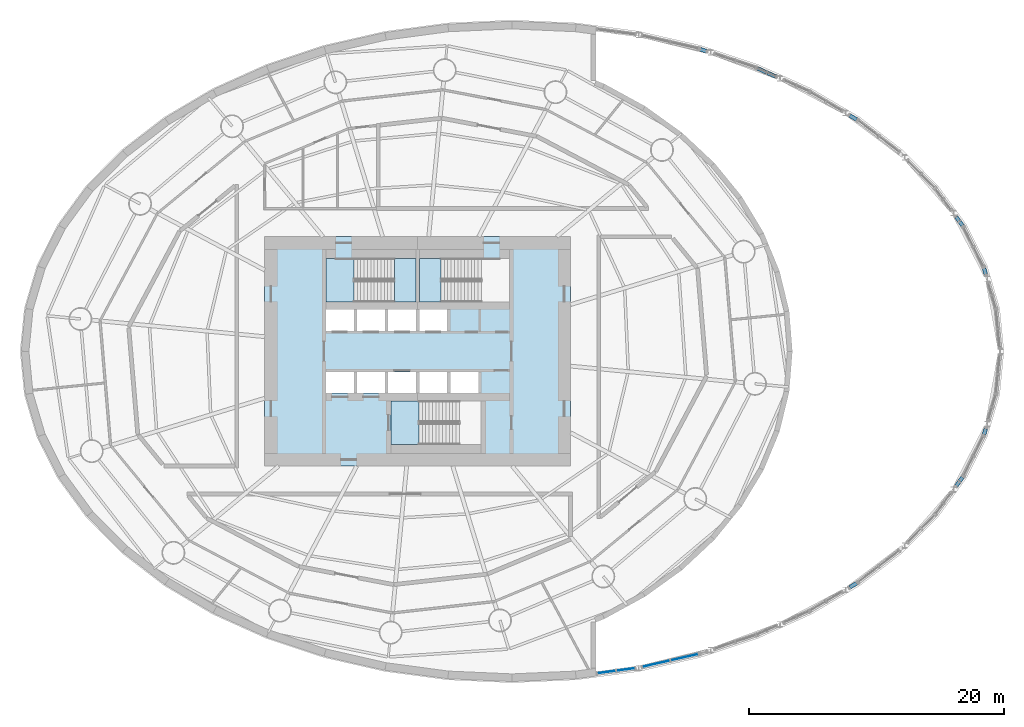
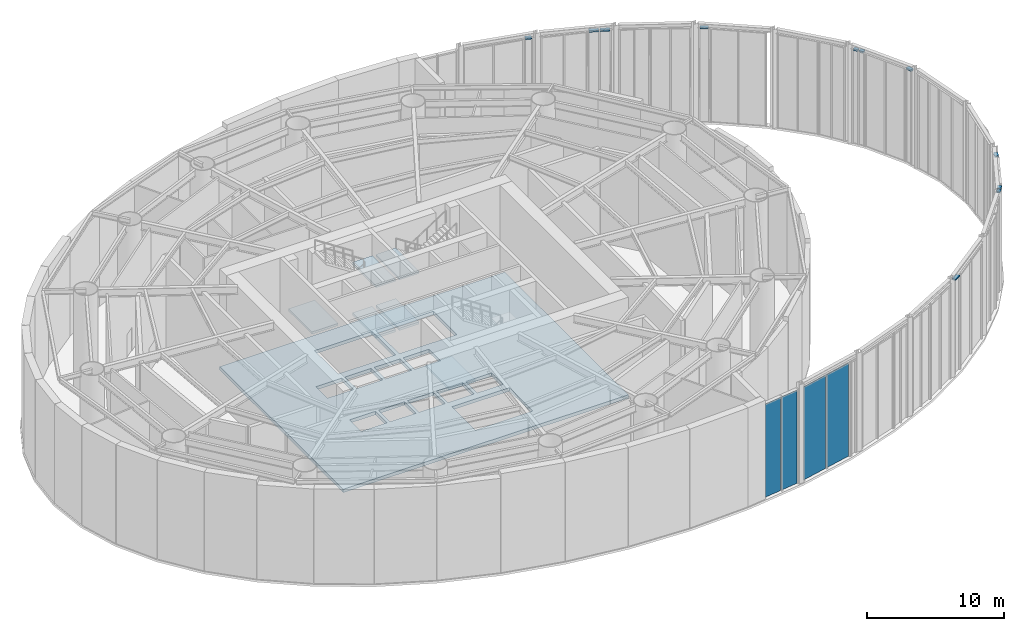
# One storey, part 9 of 19: 11 members, 7 slabs, 4 plates, 13 elements without a shape of their own.
"""IFC4 building model written with IfcOpenShell, lengths in metres."""

from ifc_helpers import new_model, si_unit, direction, frame, origin, origin_2d, place, context, subcontext, project, spatial, polyline, rectangle, outline, extrude, material, layer, layer_set, material_profile, profile_set, type_object, element, aggregate, save


model = new_model("IFC4")

# Units and contexts
model_context = context("Model", 3, precision=1e-05, world=origin(), true_north=direction((0.0, 1.0)))
body_context = subcontext(model_context, "Body", "Model", "MODEL_VIEW")
ifc_project = project(units=[si_unit("LENGTHUNIT", "METRE"), si_unit("AREAUNIT", "SQUARE_METRE"), si_unit("VOLUMEUNIT", "CUBIC_METRE"), si_unit("PLANEANGLEUNIT", "RADIAN"), si_unit("MASSUNIT", "GRAM", prefix="KILO")], contexts=[model_context])

# Site, building, storey
site_placement = place(None, origin())
site = spatial("IfcSite", under=ifc_project, at=site_placement, CompositionType="ELEMENT")
building_placement = place(site_placement, origin())
building = spatial("IfcBuilding", under=site, at=building_placement, Name="Vermilion Reach Broadcast Tower", CompositionType="ELEMENT")
storey_placement = place(building_placement, frame((0.0, 0.0, 17.0)))
storey = spatial("IfcBuildingStorey", under=building, at=storey_placement, Name="L02", CompositionType="ELEMENT", Elevation=17.0)

# Curtain wall, member
ifc_material_1 = material(Name="Low-e laminated clear glass in aluminium frame", Category="aluminium")
curtain_wall_type = type_object("IfcCurtainWallType", Name="Atrium outer wall curtain wall", PredefinedType="NOTDEFINED", material=ifc_material_1)
placement_1 = place(storey_placement, origin())
curtain_wall_1 = element("IfcCurtainWall", 1, at=placement_1, inside=storey, type_object=curtain_wall_type, Name="Atrium wall L02 05-2", PredefinedType="NOTDEFINED")
ifc_material_2 = material(Name="Anodised aluminium", Category="aluminium")
ifc_material_profile = material_profile(ifc_material_2, rectangle(XDim=0.300048828125, YDim=0.1201171875, at=origin_2d()), Name="Atrium outer wall transom 300 x 120")
ifc_profile_set = profile_set([ifc_material_profile], Name="Anodised aluminium")
member_type = type_object("IfcMemberType", Name="Atrium outer wall transom 300 x 120", PredefinedType="USERDEFINED", material=ifc_profile_set)
member_1_placement = place(storey_placement, frame((27.892822265625, -18.5107421875, 8.35009765625), z_axis=(0.860857815455, 0.508845577331, 0.0), x_axis=(-0.508845577331, 0.860857815455, 0.0)))
member_1 = element("IfcMember", 2, at=member_1_placement, type_object=member_type, Name="Atrium wall transom L02 05-2.1.2", ObjectType="TRANSOM", PredefinedType="USERDEFINED", context=body_context, shape_type="SweptSolid", body=[
    extrude(rectangle(XDim=0.300048828125, YDim=0.1201171875, at=origin_2d()), origin(), (0.0, 0.0, 1.0), 0.63671875),
])
aggregate(curtain_wall_1, [member_1])

# Curtain wall, members
curtain_wall_2 = element("IfcCurtainWall", 3, at=placement_1, inside=storey, type_object=curtain_wall_type, Name="Atrium wall L02 08-2", PredefinedType="NOTDEFINED")
member_2_placement = place(storey_placement, frame((36.255126953125, -10.5458984375, 8.35009765625), z_axis=(0.590584029438, 0.806976148454, 0.0), x_axis=(-0.806976148454, 0.590584029438, 0.0)))
member_2 = element("IfcMember", 4, at=member_2_placement, type_object=member_type, Name="Atrium wall transom L02 08-2.1.2", ObjectType="TRANSOM", PredefinedType="USERDEFINED", context=body_context, shape_type="SweptSolid", body=[
    extrude(rectangle(XDim=0.300048828125, YDim=0.1201171875, at=origin_2d()), origin(), (0.0, 0.0, 1.0), 0.36669921875),
])
member_3_placement = place(storey_placement, frame((36.53076171875, -10.169189453125, 8.35009765625), z_axis=(0.59101736398, 0.806658834622, 0.0), x_axis=(-0.806658834622, 0.59101736398, 0.0)))
member_3 = element("IfcMember", 5, at=member_3_placement, type_object=member_type, Name="Atrium wall transom L02 08-2.2.2", ObjectType="TRANSOM", PredefinedType="USERDEFINED", context=body_context, shape_type="SweptSolid", body=[
    extrude(rectangle(XDim=0.300048828125, YDim=0.1201171875, at=origin_2d()), origin(), (0.0, 0.0, 1.0), 0.36669921875),
])
aggregate(curtain_wall_2, [member_2, member_3])

# Curtain wall, member
curtain_wall_3 = element("IfcCurtainWall", 6, at=placement_1, inside=storey, type_object=curtain_wall_type, Name="Atrium wall L02 10-1", PredefinedType="NOTDEFINED")
member_4_placement = place(storey_placement, frame((38.434814453125, -6.5224609375, 8.35009765625), z_axis=(0.283208468401, 0.959058373315, 0.0), x_axis=(-0.959058373315, 0.283208468401, 0.0)))
member_4 = element("IfcMember", 7, at=member_4_placement, type_object=member_type, Name="Atrium wall transom L02 10-1.1.2", ObjectType="TRANSOM", PredefinedType="USERDEFINED", context=body_context, shape_type="SweptSolid", body=[
    extrude(rectangle(XDim=0.300048828125, YDim=0.1201171875, at=origin_2d()), origin(), (0.0, 0.0, 1.0), 0.48193359375),
])
aggregate(curtain_wall_3, [member_4])

curtain_wall_4 = element("IfcCurtainWall", 8, at=placement_1, inside=storey, type_object=curtain_wall_type, Name="Atrium wall L02 13-2", PredefinedType="NOTDEFINED")
member_5_placement = place(storey_placement, frame((38.5712890625, 6.060302734375, 8.35009765625), z_axis=(-0.283208468401, 0.959058373315, 0.0), x_axis=(-0.959058373315, -0.283208468401, 0.0)))
member_5 = element("IfcMember", 9, at=member_5_placement, type_object=member_type, Name="Atrium wall transom L02 13-2.1.2", ObjectType="TRANSOM", PredefinedType="USERDEFINED", context=body_context, shape_type="SweptSolid", body=[
    extrude(rectangle(XDim=0.300048828125, YDim=0.1201171875, at=origin_2d()), origin(), (0.0, 0.0, 1.0), 0.48193359375),
])
aggregate(curtain_wall_4, [member_5])

# Curtain wall, members
curtain_wall_5 = element("IfcCurtainWall", 10, at=placement_1, inside=storey, type_object=curtain_wall_type, Name="Atrium wall L02 15-1", PredefinedType="NOTDEFINED")
member_6_placement = place(storey_placement, frame((36.74755859375, 9.873291015625, 8.35009765625), z_axis=(-0.59101736398, 0.806658834622, 0.0), x_axis=(-0.806658834622, -0.59101736398, 0.0)))
member_6 = element("IfcMember", 11, at=member_6_placement, type_object=member_type, Name="Atrium wall transom L02 15-1.1.2", ObjectType="TRANSOM", PredefinedType="USERDEFINED", context=body_context, shape_type="SweptSolid", body=[
    extrude(rectangle(XDim=0.300048828125, YDim=0.1201171875, at=origin_2d()), origin(), (0.0, 0.0, 1.0), 0.36669921875),
])
member_7_placement = place(storey_placement, frame((36.4716796875, 10.25, 8.35009765625), z_axis=(-0.590584029438, 0.806976148454, 0.0), x_axis=(-0.806976148454, -0.590584029438, 0.0)))
member_7 = element("IfcMember", 12, at=member_7_placement, type_object=member_type, Name="Atrium wall transom L02 15-1.2.2", ObjectType="TRANSOM", PredefinedType="USERDEFINED", context=body_context, shape_type="SweptSolid", body=[
    extrude(rectangle(XDim=0.300048828125, YDim=0.1201171875, at=origin_2d()), origin(), (0.0, 0.0, 1.0), 0.36669921875),
])
aggregate(curtain_wall_5, [member_6, member_7])

# Curtain wall, member
curtain_wall_6 = element("IfcCurtainWall", 13, at=placement_1, inside=storey, type_object=curtain_wall_type, Name="Atrium wall L02 18-1", PredefinedType="NOTDEFINED")
member_8_placement = place(storey_placement, frame((28.44091796875, 18.186767578125, 8.35009765625), z_axis=(-0.860857815455, 0.508845577331, 0.0), x_axis=(-0.508845577331, -0.860857815455, 0.0)))
member_8 = element("IfcMember", 14, at=member_8_placement, type_object=member_type, Name="Atrium wall transom L02 18-1.1.2", ObjectType="TRANSOM", PredefinedType="USERDEFINED", context=body_context, shape_type="SweptSolid", body=[
    extrude(rectangle(XDim=0.300048828125, YDim=0.1201171875, at=origin_2d()), origin(), (0.0, 0.0, 1.0), 0.63671875),
])
aggregate(curtain_wall_6, [member_8])

# Curtain wall, members
curtain_wall_7 = element("IfcCurtainWall", 15, at=placement_1, inside=storey, type_object=curtain_wall_type, Name="Atrium wall L02 19-2", PredefinedType="NOTDEFINED")
member_9_placement = place(storey_placement, frame((22.09033203125, 21.5625, 8.35009765625), z_axis=(-0.911877215452, 0.410463084746, 0.0), x_axis=(-0.410463084746, -0.911877215452, 0.0)))
member_9 = element("IfcMember", 16, at=member_9_placement, type_object=member_type, Name="Atrium wall transom L02 19-2.1.2", ObjectType="TRANSOM", PredefinedType="USERDEFINED", context=body_context, shape_type="SweptSolid", body=[
    extrude(rectangle(XDim=0.300048828125, YDim=0.1201171875, at=origin_2d()), origin(), (0.0, 0.0, 1.0), 0.72216796875),
])
member_10_placement = place(storey_placement, frame((21.3408203125, 21.89990234375, 8.35009765625), z_axis=(-0.911946820137, 0.41030841722, 0.0), x_axis=(-0.41030841722, -0.911946820137, 0.0)))
member_10 = element("IfcMember", 17, at=member_10_placement, type_object=member_type, Name="Atrium wall transom L02 19-2.2.2", ObjectType="TRANSOM", PredefinedType="USERDEFINED", context=body_context, shape_type="SweptSolid", body=[
    extrude(rectangle(XDim=0.300048828125, YDim=0.1201171875, at=origin_2d()), origin(), (0.0, 0.0, 1.0), 0.7216796875),
])
aggregate(curtain_wall_7, [member_9, member_10])

# Curtain wall, member
curtain_wall_8 = element("IfcCurtainWall", 18, at=placement_1, inside=storey, type_object=curtain_wall_type, Name="Atrium wall L02 20-2", PredefinedType="NOTDEFINED")
member_11_placement = place(storey_placement, frame((16.629638671875, 23.552978515625, 8.35009765625), z_axis=(-0.948944103966, 0.315444270113, 0.0), x_axis=(-0.315444270113, -0.948944103966, 0.0)))
member_11 = element("IfcMember", 19, at=member_11_placement, type_object=member_type, Name="Atrium wall transom L02 20-2.1.2", ObjectType="TRANSOM", PredefinedType="USERDEFINED", context=body_context, shape_type="SweptSolid", body=[
    extrude(rectangle(XDim=0.300048828125, YDim=0.1201171875, at=origin_2d()), origin(), (0.0, 0.0, 1.0), 0.467529296875),
])
aggregate(curtain_wall_8, [member_11])

# Curtain wall, plates
curtain_wall_9 = element("IfcCurtainWall", 20, at=placement_1, inside=storey, type_object=curtain_wall_type, Name="Atrium wall L02 01", PredefinedType="NOTDEFINED")
ifc_material_3 = material(Name="Low-e laminated clear glass", Category="glass")
ifc_layer_1 = layer(ifc_material_3, 0.035888671875)
ifc_layer_set_1 = layer_set([ifc_layer_1], Name="Atrium outer wall glass panel")
plate_type = type_object("IfcPlateType", Name="Atrium outer wall glass panel", PredefinedType="CURTAIN_PANEL", material=ifc_layer_set_1)
plate_1_placement = place(storey_placement, frame((8.81591796875, -25.15673828125, 0.0), z_axis=(0.0, 0.0, 1.0), x_axis=(0.991143697753, 0.132793713723, 0.0)))
plate_1 = element("IfcPlate", 21, at=plate_1_placement, type_object=plate_type, Name="Atrium wall glass panel L02 01.1.1", PredefinedType="CURTAIN_PANEL", context=body_context, shape_type="SweptSolid", body=[
    extrude(rectangle(XDim=1.419921875, YDim=0.035888671875, at=origin_2d()), origin(), (0.0, 0.0, 1.0), 8.2900390625),
])
plate_2_placement = place(storey_placement, frame((10.322265625, -24.954833984375, 0.0), z_axis=(0.0, 0.0, 1.0), x_axis=(0.991143697753, 0.132793713723, 0.0)))
plate_2 = element("IfcPlate", 22, at=plate_2_placement, type_object=plate_type, Name="Atrium wall glass panel L02 01.2.1", PredefinedType="CURTAIN_PANEL", context=body_context, shape_type="SweptSolid", body=[
    extrude(rectangle(XDim=1.419921875, YDim=0.035888671875, at=origin_2d()), origin(), (0.0, 0.0, 1.0), 8.2900390625),
])
aggregate(curtain_wall_9, [plate_1, plate_2])

curtain_wall_10 = element("IfcCurtainWall", 23, at=placement_1, inside=storey, type_object=curtain_wall_type, Name="Atrium wall L02 02", PredefinedType="NOTDEFINED")
plate_3_placement = place(storey_placement, frame((12.70654296875, -24.505859375, 0.0), z_axis=(0.0, 0.0, 1.0), x_axis=(0.974843253478, 0.222891523278, 0.0)))
plate_3 = element("IfcPlate", 24, at=plate_3_placement, type_object=plate_type, Name="Atrium wall glass panel L02 02.1.1", PredefinedType="CURTAIN_PANEL", context=body_context, shape_type="SweptSolid", body=[
    extrude(rectangle(XDim=2.18115234375, YDim=0.035888671875, at=origin_2d()), origin(), (0.0, 0.0, 1.0), 8.2900390625),
])
plate_4_placement = place(storey_placement, frame((14.930419921875, -23.997314453125, 0.0), z_axis=(0.0, 0.0, 1.0), x_axis=(0.974843253478, 0.222891523278, 0.0)))
plate_4 = element("IfcPlate", 25, at=plate_4_placement, type_object=plate_type, Name="Atrium wall glass panel L02 02.2.1", PredefinedType="CURTAIN_PANEL", context=body_context, shape_type="SweptSolid", body=[
    extrude(rectangle(XDim=2.18115234375, YDim=0.035888671875, at=origin_2d()), origin(), (0.0, 0.0, 1.0), 8.2900390625),
])
aggregate(curtain_wall_10, [plate_3, plate_4])

# Slab
ifc_material_4 = material(Name="Concrete C40", Category="concrete")
ifc_layer_2 = layer(ifc_material_4, 0.300048828125)
ifc_layer_set_2 = layer_set([ifc_layer_2], Name="Core floor slab 300 mm Concrete C40")
slab_type_1 = type_object("IfcSlabType", Name="Core floor slab 300 mm Concrete C40", PredefinedType="FLOOR", material=ifc_layer_set_2)
slab_1_placement = place(storey_placement, frame((0.0, 0.0, -0.300048828125)))
element("IfcSlab", 26, at=slab_1_placement, inside=storey, type_object=slab_type_1, Name="L02 core floor", PredefinedType="FLOOR", context=body_context, shape_type="SweptSolid", body=[
    extrude(outline(polyline([(-18.0, -9.0), (6.0, -9.0), (6.0, 9.0), (-18.0, 9.0), (-18.0, -9.0)]), holes=[polyline([(-13.199951171875, 1.60009765625), (-11.00830078125, 1.60009765625), (-11.00830078125, 3.280029296875), (-13.199951171875, 3.280029296875), (-13.199951171875, 1.60009765625)]), polyline([(-10.75830078125, 1.60009765625), (-8.566650390625, 1.60009765625), (-8.566650390625, 3.280029296875), (-10.75830078125, 3.280029296875), (-10.75830078125, 1.60009765625)]), polyline([(-8.316650390625, 1.60009765625), (-6.125, 1.60009765625), (-6.125, 3.280029296875), (-8.316650390625, 3.280029296875), (-8.316650390625, 1.60009765625)]), polyline([(-5.875, 1.60009765625), (-3.683349609375, 1.60009765625), (-3.683349609375, 3.280029296875), (-5.875, 3.280029296875), (-5.875, 1.60009765625)]), polyline([(-13.199951171875, -3.280029296875), (-11.00830078125, -3.280029296875), (-11.00830078125, -1.60009765625), (-13.199951171875, -1.60009765625), (-13.199951171875, -3.280029296875)]), polyline([(-10.75830078125, -3.280029296875), (-8.566650390625, -3.280029296875), (-8.566650390625, -1.60009765625), (-10.75830078125, -1.60009765625), (-10.75830078125, -3.280029296875)]), polyline([(-8.316650390625, -3.280029296875), (-6.125, -3.280029296875), (-6.125, -1.60009765625), (-8.316650390625, -1.60009765625), (-8.316650390625, -3.280029296875)]), polyline([(-5.875, -3.280029296875), (-3.683349609375, -3.280029296875), (-3.683349609375, -1.60009765625), (-5.875, -1.60009765625), (-5.875, -3.280029296875)]), polyline([(-3.433349609375, -3.280029296875), (-1.24169921875, -3.280029296875), (-1.24169921875, -1.60009765625), (-3.433349609375, -1.60009765625), (-3.433349609375, -3.280029296875)]), polyline([(-10.999267578125, 3.8798828125), (-6.14990234375, 3.8798828125), (-6.14990234375, 7.300048828125), (-10.999267578125, 7.300048828125), (-10.999267578125, 3.8798828125)]), polyline([(-1.000732421875, 7.300048828125), (-5.85009765625, 7.300048828125), (-5.85009765625, 3.8798828125), (-1.000732421875, 3.8798828125), (-1.000732421875, 7.300048828125)]), polyline([(-5.8994140625, -7.300048828125), (-1.050048828125, -7.300048828125), (-1.050048828125, -3.8798828125), (-5.8994140625, -3.8798828125), (-5.8994140625, -7.300048828125)])]), origin(), (0.0, 0.0, 1.0), 0.300048828125),
])

# Stair, slabs
ifc_material_5 = material(Name="Concrete C40", Category="concrete")
stair_type = type_object("IfcStairType", Name="Exit stair RC 52 risers 173 mm", PredefinedType="HALF_TURN_STAIR", material=ifc_material_5)
stair_1 = element("IfcStair", 27, at=placement_1, inside=storey, type_object=stair_type, Name="L02 Exit stair ST1", PredefinedType="HALF_TURN_STAIR")
ifc_material_6 = material(Name="Concrete C40", Category="concrete")
ifc_layer_3 = layer(ifc_material_6, 0.199951171875)
ifc_layer_set_3 = layer_set([ifc_layer_3], Name="Exit stair landing Concrete C40")
slab_type_2 = type_object("IfcSlabType", Name="Exit stair landing Concrete C40", PredefinedType="LANDING", material=ifc_layer_set_3)
placement_2 = place(storey_placement, frame((0.0, 0.0, 2.050048828125)))
slab_2 = element("IfcSlab", 28, at=placement_2, type_object=slab_type_2, Name="ST1 landing 1", PredefinedType="LANDING", context=body_context, shape_type="SweptSolid", body=[
    extrude(outline(polyline([(-7.820068359375, 3.8798828125), (-6.14990234375, 3.8798828125), (-6.14990234375, 7.300048828125), (-7.820068359375, 7.300048828125), (-7.820068359375, 3.8798828125)])), origin(), (0.0, 0.0, 1.0), 0.199951171875),
])
placement_3 = place(storey_placement, frame((0.0, 0.0, 4.300048828125)))
slab_3 = element("IfcSlab", 29, at=placement_3, type_object=slab_type_2, Name="ST1 landing 2", PredefinedType="LANDING", context=body_context, shape_type="SweptSolid", body=[
    extrude(outline(polyline([(-13.199951171875, 3.8798828125), (-11.0, 3.8798828125), (-11.0, 7.300048828125), (-13.199951171875, 7.300048828125), (-13.199951171875, 3.8798828125)])), origin(), (0.0, 0.0, 1.0), 0.199951171875),
])
placement_4 = place(storey_placement, frame((0.0, 0.0, 6.550048828125)))
slab_4 = element("IfcSlab", 30, at=placement_4, type_object=slab_type_2, Name="ST1 landing 3", PredefinedType="LANDING", context=body_context, shape_type="SweptSolid", body=[
    extrude(outline(polyline([(-7.820068359375, 3.8798828125), (-6.14990234375, 3.8798828125), (-6.14990234375, 7.300048828125), (-7.820068359375, 7.300048828125), (-7.820068359375, 3.8798828125)])), origin(), (0.0, 0.0, 1.0), 0.199951171875),
])
aggregate(stair_1, [slab_2, slab_3, slab_4])

stair_2 = element("IfcStair", 31, at=placement_1, inside=storey, type_object=stair_type, Name="L02 Exit stair ST2", PredefinedType="HALF_TURN_STAIR")
slab_5 = element("IfcSlab", 32, at=placement_2, type_object=slab_type_2, Name="ST2 landing 1", PredefinedType="LANDING", context=body_context, shape_type="SweptSolid", body=[
    extrude(outline(polyline([(-4.179931640625, 7.300048828125), (-5.85009765625, 7.300048828125), (-5.85009765625, 3.8798828125), (-4.179931640625, 3.8798828125), (-4.179931640625, 7.300048828125)])), origin(), (0.0, 0.0, 1.0), 0.199951171875),
])
slab_6 = element("IfcSlab", 33, at=placement_4, type_object=slab_type_2, Name="ST2 landing 3", PredefinedType="LANDING", context=body_context, shape_type="SweptSolid", body=[
    extrude(outline(polyline([(-4.179931640625, 7.300048828125), (-5.85009765625, 7.300048828125), (-5.85009765625, 3.8798828125), (-4.179931640625, 3.8798828125), (-4.179931640625, 7.300048828125)])), origin(), (0.0, 0.0, 1.0), 0.199951171875),
])
aggregate(stair_2, [slab_5, slab_6])

# Stair, slab
stair_3 = element("IfcStair", 34, at=placement_1, inside=storey, type_object=stair_type, Name="L02 Exit stair ST3", PredefinedType="HALF_TURN_STAIR")
slab_7 = element("IfcSlab", 35, at=placement_3, type_object=slab_type_2, Name="ST3 landing 2", PredefinedType="LANDING", context=body_context, shape_type="SweptSolid", body=[
    extrude(outline(polyline([(-8.10009765625, -7.300048828125), (-5.89990234375, -7.300048828125), (-5.89990234375, -3.8798828125), (-8.10009765625, -3.8798828125), (-8.10009765625, -7.300048828125)])), origin(), (0.0, 0.0, 1.0), 0.199951171875),
])
aggregate(stair_3, [slab_7])

save(model, "model.ifc")
